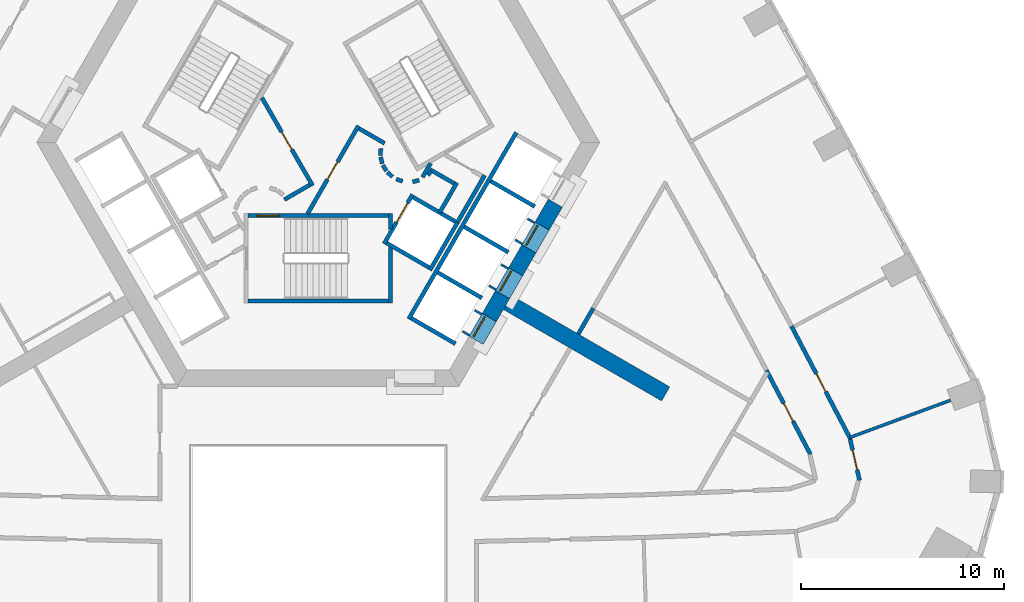
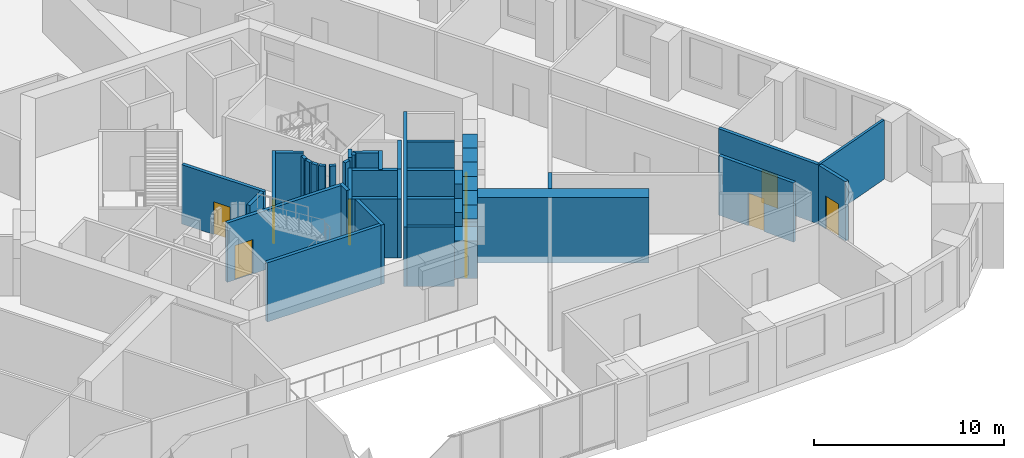
# One storey, part 7 of 12: 43 walls, 10 doors, 10 openings.
"""IFC4 building model written with IfcOpenShell, lengths in metres."""

from ifc_helpers import new_model, si_unit, direction, frame, frame_2d, origin, place, context, subcontext, project, spatial, polyline, rectangle, outline, extrude, material, layer, layer_set, type_object, element, fill, save


model = new_model("IFC4")

# Units and contexts
model_context = context("Model", 3, precision=1e-05, world=origin(), true_north=direction((0.0, 1.0)))
body_context = subcontext(model_context, "Body", "Model", "MODEL_VIEW")
ifc_project = project(units=[si_unit("LENGTHUNIT", "METRE"), si_unit("AREAUNIT", "SQUARE_METRE"), si_unit("VOLUMEUNIT", "CUBIC_METRE"), si_unit("PLANEANGLEUNIT", "RADIAN"), si_unit("MASSUNIT", "GRAM", prefix="KILO")], contexts=[model_context])

# Site, building, storey
site_placement = place(None, origin())
site = spatial("IfcSite", under=ifc_project, at=site_placement, CompositionType="ELEMENT")
building_placement = place(site_placement, origin())
building = spatial("IfcBuilding", under=site, at=building_placement, Name="Entoto Arch Interchange Tower", CompositionType="ELEMENT")
storey_placement = place(building_placement, frame((0.0, 0.0, 142.39990234375)))
storey = spatial("IfcBuildingStorey", under=building, at=storey_placement, Name="L31", CompositionType="ELEMENT", Elevation=142.39990234375)

# Walls
ifc_material_1 = material(Name="Concrete C50/60", Category="concrete")
ifc_layer_1 = layer(ifc_material_1, 0.800048828125)
ifc_layer_set_1 = layer_set([ifc_layer_1], Name="Concrete C50/60")
wall_type_1 = type_object("IfcWallType", Name="Buttress wall 800 C50/60", PredefinedType="SHEAR", material=ifc_layer_set_1)
wall_1_placement = place(storey_placement, frame((9.31005859375, -5.375, -0.39990234375), z_axis=(0.0, 0.0, 1.0), x_axis=(0.866017533419, -0.500013631625, 0.0)))
element("IfcWall", 1, at=wall_1_placement, inside=storey, type_object=wall_type_1, Name="Buttress wall SE L31", PredefinedType="SHEAR", context=body_context, shape_type="SweptSolid", body=[
    extrude(rectangle(XDim=8.999755859375, YDim=0.800048828125, at=frame_2d((4.5, 0.0))), origin(), (0.0, 0.0, 1.0), 4.199951171875),
])
ifc_layer_2 = layer(ifc_material_1, 0.800048828125)
ifc_layer_set_2 = layer_set([ifc_layer_2], Name="Concrete C50/60")
wall_type_2 = type_object("IfcWallType", Name="Core wall 800 C50/60", PredefinedType="SHEAR", material=ifc_layer_set_2)
wall_2_placement = place(storey_placement, frame((0.0, 0.0, -0.39990234375)))
element("IfcWall", 2, at=wall_2_placement, inside=storey, type_object=wall_type_2, Name="Core wall SE L31", PredefinedType="SHEAR", context=body_context, shape_type="SweptSolid", body=[
    extrude(outline(polyline([(9.4169921875, -5.18896484375), (8.72412109375, -4.7890625), (8.074951171875, -5.9140625), (8.76708984375, -6.31396484375), (9.4169921875, -5.18896484375)])), origin(), (0.0, 0.0, 1.0), 4.199951171875),
])
wall_3_placement = place(storey_placement, frame((0.0, 0.0, -0.39990234375)))
element("IfcWall", 3, at=wall_3_placement, inside=storey, type_object=wall_type_2, Name="Core wall SE L31", PredefinedType="SHEAR", context=body_context, shape_type="SweptSolid", body=[
    extrude(outline(polyline([(10.717041015625, -2.93701171875), (10.02490234375, -2.537109375), (9.3740234375, -3.6630859375), (10.06689453125, -4.06298828125), (10.717041015625, -2.93701171875)])), origin(), (0.0, 0.0, 1.0), 4.199951171875),
])
wall_4_placement = place(storey_placement, frame((0.0, 0.0, -0.39990234375)))
element("IfcWall", 4, at=wall_4_placement, inside=storey, type_object=wall_type_2, Name="Core wall SE L31", PredefinedType="SHEAR", context=body_context, shape_type="SweptSolid", body=[
    extrude(outline(polyline([(12.01708984375, -0.68603515625), (11.323974609375, -0.285888671875), (10.675048828125, -1.410888671875), (11.366943359375, -1.81103515625), (12.01708984375, -0.68603515625)])), origin(), (0.0, 0.0, 1.0), 4.199951171875),
])
wall_5_placement = place(storey_placement, frame((0.0, 0.0, 3.60009765625)))
element("IfcWall", 5, at=wall_5_placement, inside=storey, type_object=wall_type_2, Name="Core wall lintel SE L31", PredefinedType="SHEAR", context=body_context, shape_type="SweptSolid", body=[
    extrude(outline(polyline([(8.76708984375, -6.31396484375), (8.074951171875, -5.9140625), (7.424072265625, -7.0400390625), (8.116943359375, -7.43994140625), (8.76708984375, -6.31396484375)])), origin(), (0.0, 0.0, 1.0), 0.199951171875),
])
wall_6_placement = place(storey_placement, frame((0.0, 0.0, 3.60009765625)))
element("IfcWall", 6, at=wall_6_placement, inside=storey, type_object=wall_type_2, Name="Core wall lintel SE L31", PredefinedType="SHEAR", context=body_context, shape_type="SweptSolid", body=[
    extrude(outline(polyline([(10.06689453125, -4.06298828125), (9.3740234375, -3.6630859375), (8.72412109375, -4.7890625), (9.4169921875, -5.18896484375), (10.06689453125, -4.06298828125)])), origin(), (0.0, 0.0, 1.0), 0.199951171875),
])
wall_7_placement = place(storey_placement, frame((0.0, 0.0, 3.60009765625)))
element("IfcWall", 7, at=wall_7_placement, inside=storey, type_object=wall_type_2, Name="Core wall lintel SE L31", PredefinedType="SHEAR", context=body_context, shape_type="SweptSolid", body=[
    extrude(outline(polyline([(11.366943359375, -1.81103515625), (10.675048828125, -1.410888671875), (10.02490234375, -2.537109375), (10.717041015625, -2.93701171875), (11.366943359375, -1.81103515625)])), origin(), (0.0, 0.0, 1.0), 0.199951171875),
])

# Wall, opening, door
ifc_material_2 = material(Name="Concrete C40/50", Category="concrete")
ifc_layer_3 = layer(ifc_material_2, 1.199951171875)
ifc_layer_set_3 = layer_set([ifc_layer_3], Name="Concrete C40/50")
wall_type_3 = type_object("IfcWallType", Name="LIFT LANDING INFILL WALL", PredefinedType="STANDARD", material=ifc_layer_set_3)
wall_8_placement = place(storey_placement, frame((7.597900390625, -7.139892578125, 0.0), z_axis=(0.0, 0.0, 1.0), x_axis=(0.500362116554, 0.865816234728, 0.0)))
wall_8 = element("IfcWall", 8, at=wall_8_placement, inside=storey, type_object=wall_type_3, Name="Lift landing infill wall LR5 L31", PredefinedType="STANDARD", context=body_context, shape_type="SweptSolid", body=[
    extrude(rectangle(XDim=1.29931640625, YDim=1.199951171875, at=frame_2d((0.649658203125, 0.0))), origin(), (0.0, 0.0, 1.0), 2.400146484375),
])
opening_1_placement = place(wall_8_placement, frame((0.10009765625, 0.0, 0.0)))
opening_1 = element("IfcOpeningElement", 9, at=opening_1_placement, cuts=wall_8, Name="Opening LD-LR5-L31", PredefinedType="OPENING", context=body_context, shape_type="SweptSolid", body=[
    extrude(rectangle(XDim=1.10009765625, YDim=2.300048828125, at=frame_2d((0.550048828125, 1.14990234375))), frame((0.0, 0.60986328125, 0.0), z_axis=(0.0, -1.0, 0.0), x_axis=(1.0, 0.0, 0.0)), (0.0, 0.0, 1.0), 1.219970703125),
])
ifc_material_3 = material(Name="Stainless steel 1.4301 panels", Category="steel")
door_type_1 = type_object("IfcDoorType", Name="LIFT LANDING DOOR LD2 1100x2300", OperationType="SLIDING_TO_LEFT", PredefinedType="DOOR", material=ifc_material_3)
door_1_placement = place(opening_1_placement, origin())
door_1 = element("IfcDoor", 10, at=door_1_placement, inside=storey, type_object=door_type_1, Name="Lift landing door LR5 L31", OperationType="SLIDING_TO_LEFT", OverallHeight=2.300048828125, OverallWidth=1.10009765625, PredefinedType="DOOR", context=body_context, shape_type="SweptSolid", body=[
    extrude(rectangle(XDim=1.10009765625, YDim=2.300048828125, at=frame_2d((0.550048828125, 1.14990234375))), frame((0.0, 0.02490234375, 0.0), z_axis=(0.0, -1.0, 0.0), x_axis=(1.0, 0.0, 0.0)), (0.0, 0.0, 1.0), 0.050048828125),
])
fill(opening_1, door_1)

wall_9_placement = place(storey_placement, frame((8.89794921875, -4.888916015625, 0.0), z_axis=(0.0, 0.0, 1.0), x_axis=(0.500036693733, 0.866004217611, 0.0)))
wall_9 = element("IfcWall", 11, at=wall_9_placement, inside=storey, type_object=wall_type_3, Name="Lift landing infill wall LR6 L31", PredefinedType="STANDARD", context=body_context, shape_type="SweptSolid", body=[
    extrude(rectangle(XDim=1.30029296875, YDim=1.199951171875, at=frame_2d((0.650146484375, 0.0))), origin(), (0.0, 0.0, 1.0), 2.400146484375),
])
opening_2_placement = place(wall_9_placement, frame((0.10009765625, 0.0, 0.0)))
opening_2 = element("IfcOpeningElement", 12, at=opening_2_placement, cuts=wall_9, Name="Opening LD-LR6-L31", PredefinedType="OPENING", context=body_context, shape_type="SweptSolid", body=[
    extrude(rectangle(XDim=1.10009765625, YDim=2.300048828125, at=frame_2d((0.550048828125, 1.14990234375))), frame((0.0, 0.60986328125, 0.0), z_axis=(0.0, -1.0, 0.0), x_axis=(1.0, 0.0, 0.0)), (0.0, 0.0, 1.0), 1.219970703125),
])
door_2_placement = place(opening_2_placement, origin())
door_2 = element("IfcDoor", 13, at=door_2_placement, inside=storey, type_object=door_type_1, Name="Lift landing door LR6 L31", OperationType="SLIDING_TO_LEFT", OverallHeight=2.300048828125, OverallWidth=1.10009765625, PredefinedType="DOOR", context=body_context, shape_type="SweptSolid", body=[
    extrude(rectangle(XDim=1.10009765625, YDim=2.300048828125, at=frame_2d((0.550048828125, 1.14990234375))), frame((0.0, 0.02490234375, 0.0), z_axis=(0.0, -1.0, 0.0), x_axis=(1.0, 0.0, 0.0)), (0.0, 0.0, 1.0), 0.050048828125),
])
fill(opening_2, door_2)

wall_10_placement = place(storey_placement, frame((10.197998046875, -2.636962890625, 0.0), z_axis=(0.0, 0.0, 1.0), x_axis=(0.49989585183, 0.866085525409, 0.0)))
wall_10 = element("IfcWall", 14, at=wall_10_placement, inside=storey, type_object=wall_type_3, Name="Lift landing infill wall LR7 L31", PredefinedType="STANDARD", context=body_context, shape_type="SweptSolid", body=[
    extrude(rectangle(XDim=1.300048828125, YDim=1.199951171875, at=frame_2d((0.64990234375, 0.0))), origin(), (0.0, 0.0, 1.0), 2.400146484375),
])
opening_3_placement = place(wall_10_placement, frame((0.10009765625, 0.0, 0.0)))
opening_3 = element("IfcOpeningElement", 15, at=opening_3_placement, cuts=wall_10, Name="Opening LD-LR7-L31", PredefinedType="OPENING", context=body_context, shape_type="SweptSolid", body=[
    extrude(rectangle(XDim=1.10009765625, YDim=2.300048828125, at=frame_2d((0.550048828125, 1.14990234375))), frame((0.0, 0.60986328125, 0.0), z_axis=(0.0, -1.0, 0.0), x_axis=(1.0, 0.0, 0.0)), (0.0, 0.0, 1.0), 1.219970703125),
])
door_3_placement = place(opening_3_placement, origin())
door_3 = element("IfcDoor", 16, at=door_3_placement, inside=storey, type_object=door_type_1, Name="Lift landing door LR7 L31", OperationType="SLIDING_TO_LEFT", OverallHeight=2.300048828125, OverallWidth=1.10009765625, PredefinedType="DOOR", context=body_context, shape_type="SweptSolid", body=[
    extrude(rectangle(XDim=1.10009765625, YDim=2.300048828125, at=frame_2d((0.550048828125, 1.14990234375))), frame((0.0, 0.02490234375, 0.0), z_axis=(0.0, -1.0, 0.0), x_axis=(1.0, 0.0, 0.0)), (0.0, 0.0, 1.0), 0.050048828125),
])
fill(opening_3, door_3)

ifc_layer_4 = layer(ifc_material_2, 0.199951171875)
ifc_layer_set_4 = layer_set([ifc_layer_4], Name="Concrete C40/50")
wall_type_4 = type_object("IfcWallType", Name="LIFT SHAFT WALL 200", PredefinedType="STANDARD", material=ifc_layer_set_4)
wall_11_placement = place(storey_placement, frame((3.239990234375, -2.488037109375, 0.0), z_axis=(0.0, 0.0, 1.0), x_axis=(0.49994636267, 0.866056369097, 0.0)))
wall_11 = element("IfcWall", 17, at=wall_11_placement, inside=storey, type_object=wall_type_4, Name="Shaft wall SE1 front", PredefinedType="STANDARD", context=body_context, shape_type="SweptSolid", body=[
    extrude(rectangle(XDim=2.800048828125, YDim=0.199951171875, at=frame_2d((1.39990234375, 0.0))), origin(), (0.0, 0.0, 1.0), 3.800048828125),
])
opening_4_placement = place(wall_11_placement, frame((1.22509765625, 0.0, 0.0)))
opening_4 = element("IfcOpeningElement", 18, at=opening_4_placement, cuts=wall_11, Name="Opening LD-FF1-L31", PredefinedType="OPENING", context=body_context, shape_type="SweptSolid", body=[
    extrude(rectangle(XDim=1.10009765625, YDim=2.10009765625, at=frame_2d((0.550048828125, 1.050048828125))), frame((0.0, 0.10986328125, 0.0), z_axis=(0.0, -1.0, 0.0), x_axis=(1.0, 0.0, 0.0)), (0.0, 0.0, 1.0), 0.219970703125),
])
door_type_2 = type_object("IfcDoorType", Name="LIFT LANDING DOOR LD1 1100x2100", OperationType="SLIDING_TO_LEFT", PredefinedType="DOOR", material=ifc_material_3)
door_4_placement = place(opening_4_placement, origin())
door_4 = element("IfcDoor", 19, at=door_4_placement, inside=storey, type_object=door_type_2, Name="Lift landing door FF1 L31", OperationType="SLIDING_TO_LEFT", OverallHeight=2.10009765625, OverallWidth=1.10009765625, PredefinedType="DOOR", context=body_context, shape_type="SweptSolid", body=[
    extrude(rectangle(XDim=1.10009765625, YDim=2.10009765625, at=frame_2d((0.550048828125, 1.050048828125))), frame((0.0, 0.02490234375, 0.0), z_axis=(0.0, -1.0, 0.0), x_axis=(1.0, 0.0, 0.0)), (0.0, 0.0, 1.0), 0.050048828125),
])
fill(opening_4, door_4)

# Walls
wall_12_placement = place(storey_placement, frame((5.491943359375, -3.7880859375, 0.0), z_axis=(0.0, 0.0, 1.0), x_axis=(0.500011755427, 0.866018616679, 0.0)))
element("IfcWall", 20, at=wall_12_placement, inside=storey, type_object=wall_type_4, Name="Shaft wall SE1 back", PredefinedType="STANDARD", context=body_context, shape_type="SweptSolid", body=[
    extrude(rectangle(XDim=2.80029296875, YDim=0.199951171875, at=frame_2d((1.400146484375, 0.0))), origin(), (0.0, 0.0, 1.0), 3.800048828125),
])
wall_13_placement = place(storey_placement, frame((3.376953125, -2.451904296875, 0.0), z_axis=(0.0, 0.0, 1.0), x_axis=(0.865955154139, -0.50012165622, 0.0)))
element("IfcWall", 21, at=wall_13_placement, inside=storey, type_object=wall_type_4, Name="Shaft wall SE1 cross 1", PredefinedType="STANDARD", context=body_context, shape_type="SweptSolid", body=[
    extrude(rectangle(XDim=2.39990234375, YDim=0.199951171875, at=frame_2d((1.199951171875, 0.0))), origin(), (0.0, 0.0, 1.0), 3.800048828125),
])
wall_14_placement = place(storey_placement, frame((4.677001953125, -0.199951171875, 0.0), z_axis=(0.0, 0.0, 1.0), x_axis=(0.865973769406, -0.500089422704, 0.0)))
element("IfcWall", 22, at=wall_14_placement, inside=storey, type_object=wall_type_4, Name="Shaft wall SE1 cross 2", PredefinedType="STANDARD", context=body_context, shape_type="SweptSolid", body=[
    extrude(rectangle(XDim=2.3994140625, YDim=0.199951171875, at=frame_2d((1.19970703125, 0.0))), origin(), (0.0, 0.0, 1.0), 3.800048828125),
])
wall_15_placement = place(storey_placement, frame((4.450927734375, -6.18994140625, 0.0), z_axis=(0.0, 0.0, 1.0), x_axis=(0.50000090737, 0.866024879913, 0.0)))
element("IfcWall", 23, at=wall_15_placement, inside=storey, type_object=wall_type_4, Name="Shaft wall SE3 front", PredefinedType="STANDARD", context=body_context, shape_type="SweptSolid", body=[
    extrude(rectangle(XDim=10.60009765625, YDim=0.199951171875, at=frame_2d((5.300048828125, 0.0))), origin(), (0.0, 0.0, 1.0), 3.800048828125),
])
for number, where, z_axis, x_axis, name in (
    (24, (4.587890625, -6.153076171875, 0.0), (0.0, 0.0, 1.0), (0.866022959057, -0.500004234368, 0.0), "Shaft wall SE3 cross 1"),
    (25, (5.887939453125, -3.902099609375, 0.0), (0.0, 0.0, 1.0), (0.866022959057, -0.500004234368, 0.0), "Shaft wall SE3 cross 2"),
    (26, (7.18798828125, -1.64990234375, 0.0), (0.0, 0.0, 1.0), (0.866022959057, -0.500004234368, 0.0), "Shaft wall SE3 cross 3"),
    (27, (8.488037109375, 0.60205078125, 0.0), (0.0, 0.0, 1.0), (0.866022959057, -0.500004234368, 0.0), "Shaft wall SE3 cross 4"),
):
    element("IfcWall", number, at=place(storey_placement, frame(where, z_axis=z_axis, x_axis=x_axis)), inside=storey, type_object=wall_type_4, Name=name, PredefinedType="STANDARD", context=body_context, shape_type="SweptSolid", body=[
        extrude(rectangle(XDim=2.5, YDim=0.199951171875, at=frame_2d((1.25, 0.0))), origin(), (0.0, 0.0, 1.0), 3.800048828125),
    ])
ifc_material_4 = material(Name="Gypsum board partition on steel studs", Category="steel")
ifc_layer_5 = layer(ifc_material_4, 0.14990234375)
ifc_layer_set_5 = layer_set([ifc_layer_5], Name="Gypsum board partition on steel studs")
wall_type_5 = type_object("IfcWallType", Name="PARTITION 150", PredefinedType="PARTITIONING", material=ifc_layer_set_5)
wall_16_placement = place(storey_placement, frame((26.1640625, -12.02294921875, 0.0), z_axis=(0.0, 0.0, 1.0), x_axis=(0.937995804261, 0.346646608505, 0.0)))
element("IfcWall", 28, at=wall_16_placement, inside=storey, type_object=wall_type_5, Name="wall:L31:p125", PredefinedType="PARTITIONING", context=body_context, shape_type="SweptSolid", body=[
    extrude(rectangle(XDim=5.287841796875, YDim=0.14990234375, at=frame_2d((2.64404296875, 0.0))), origin(), (0.0, 0.0, 1.0), 3.800048828125),
])

# Wall, opening, door
ifc_layer_6 = layer(ifc_material_4, 0.199951171875)
ifc_layer_set_6 = layer_set([ifc_layer_6], Name="Gypsum board partition on steel studs")
wall_type_6 = type_object("IfcWallType", Name="PARTITION 200", PredefinedType="PARTITIONING", material=ifc_layer_set_6)
wall_17_placement = place(storey_placement, frame((24.22412109375, -12.844970703125, 0.0), z_axis=(0.0, 0.0, 1.0), x_axis=(-0.463819025987, 0.885929969655, 0.0)))
wall_17 = element("IfcWall", 29, at=wall_17_placement, inside=storey, type_object=wall_type_6, Name="wall:L31:p021", PredefinedType="PARTITIONING", context=body_context, shape_type="SweptSolid", body=[
    extrude(rectangle(XDim=4.659423828125, YDim=0.199951171875, at=frame_2d((2.32958984375, 0.0))), origin(), (0.0, 0.0, 1.0), 3.800048828125),
])
opening_5_placement = place(wall_17_placement, frame((1.830078125, 0.0, 0.0)))
opening_5 = element("IfcOpeningElement", 30, at=opening_5_placement, cuts=wall_17, Name="Opening L31-D22", PredefinedType="OPENING", context=body_context, shape_type="SweptSolid", body=[
    extrude(rectangle(XDim=1.0, YDim=2.10009765625, at=frame_2d((0.5, 1.050048828125))), frame((0.0, 0.10986328125, 0.0), z_axis=(0.0, -1.0, 0.0), x_axis=(1.0, 0.0, 0.0)), (0.0, 0.0, 1.0), 0.219970703125),
])
ifc_material_5 = material(Name="Timber door leaf in Steel S235 frame", Category="steel")
door_type_3 = type_object("IfcDoorType", Name="DOOR DS-10 1000x2100", OperationType="SINGLE_SWING_LEFT", PredefinedType="DOOR", material=ifc_material_5)
door_5_placement = place(opening_5_placement, origin())
door_5 = element("IfcDoor", 31, at=door_5_placement, inside=storey, type_object=door_type_3, Name="door:L31:22", OperationType="SINGLE_SWING_LEFT", OverallHeight=2.10009765625, OverallWidth=1.0, PredefinedType="DOOR", context=body_context, shape_type="SweptSolid", body=[
    extrude(rectangle(XDim=1.0, YDim=2.10009765625, at=frame_2d((0.5, 1.050048828125))), frame((0.0, 0.02490234375, 0.0), z_axis=(0.0, -1.0, 0.0), x_axis=(1.0, 0.0, 0.0)), (0.0, 0.0, 1.0), 0.050048828125),
])
fill(opening_5, door_5)

wall_18_placement = place(storey_placement, frame((26.18603515625, -12.1201171875, 0.0), z_axis=(0.0, 0.0, 1.0), x_axis=(0.224108401048, -0.974564222912, 0.0)))
wall_18 = element("IfcWall", 32, at=wall_18_placement, inside=storey, type_object=wall_type_6, Name="wall:L31:p034", PredefinedType="PARTITIONING", context=body_context, shape_type="SweptSolid", body=[
    extrude(rectangle(XDim=2.0654296875, YDim=0.199951171875, at=frame_2d((1.03271484375, 0.0))), origin(), (0.0, 0.0, 1.0), 3.800048828125),
])
opening_6_placement = place(wall_18_placement, frame((0.532958984375, 0.0, 0.0)))
opening_6 = element("IfcOpeningElement", 33, at=opening_6_placement, cuts=wall_18, Name="Opening L31-D03", PredefinedType="OPENING", context=body_context, shape_type="SweptSolid", body=[
    extrude(rectangle(XDim=1.0, YDim=2.10009765625, at=frame_2d((0.5, 1.050048828125))), frame((0.0, 0.10986328125, 0.0), z_axis=(0.0, -1.0, 0.0), x_axis=(1.0, 0.0, 0.0)), (0.0, 0.0, 1.0), 0.219970703125),
])
door_6_placement = place(opening_6_placement, origin())
door_6 = element("IfcDoor", 34, at=door_6_placement, inside=storey, type_object=door_type_3, Name="door:L31:03", OperationType="SINGLE_SWING_LEFT", OverallHeight=2.10009765625, OverallWidth=1.0, PredefinedType="DOOR", context=body_context, shape_type="SweptSolid", body=[
    extrude(rectangle(XDim=1.0, YDim=2.10009765625, at=frame_2d((0.5, 1.050048828125))), frame((0.0, 0.02490234375, 0.0), z_axis=(0.0, -1.0, 0.0), x_axis=(1.0, 0.0, 0.0)), (0.0, 0.0, 1.0), 0.050048828125),
])
fill(opening_6, door_6)

wall_19_placement = place(storey_placement, frame((23.2939453125, -6.541015625, 0.0), z_axis=(0.0, 0.0, 1.0), x_axis=(0.463802391881, -0.885938678062, 0.0)))
wall_19 = element("IfcWall", 35, at=wall_19_placement, inside=storey, type_object=wall_type_6, Name="wall:L31:p038", PredefinedType="PARTITIONING", context=body_context, shape_type="SweptSolid", body=[
    extrude(rectangle(XDim=6.287109375, YDim=0.199951171875, at=frame_2d((3.1435546875, 0.0))), origin(), (0.0, 0.0, 1.0), 3.800048828125),
])
opening_7_placement = place(wall_19_placement, frame((2.64404296875, 0.0, 0.0)))
opening_7 = element("IfcOpeningElement", 36, at=opening_7_placement, cuts=wall_19, Name="Opening L31-D04", PredefinedType="OPENING", context=body_context, shape_type="SweptSolid", body=[
    extrude(rectangle(XDim=1.0, YDim=2.10009765625, at=frame_2d((0.5, 1.050048828125))), frame((0.0, 0.10986328125, 0.0), z_axis=(0.0, -1.0, 0.0), x_axis=(1.0, 0.0, 0.0)), (0.0, 0.0, 1.0), 0.219970703125),
])
door_7_placement = place(opening_7_placement, origin())
door_7 = element("IfcDoor", 37, at=door_7_placement, inside=storey, type_object=door_type_3, Name="door:L31:04", OperationType="SINGLE_SWING_LEFT", OverallHeight=2.10009765625, OverallWidth=1.0, PredefinedType="DOOR", context=body_context, shape_type="SweptSolid", body=[
    extrude(rectangle(XDim=1.0, YDim=2.10009765625, at=frame_2d((0.5, 1.050048828125))), frame((0.0, 0.02490234375, 0.0), z_axis=(0.0, -1.0, 0.0), x_axis=(1.0, 0.0, 0.0)), (0.0, 0.0, 1.0), 0.050048828125),
])
fill(opening_7, door_7)

# Walls
wall_20_placement = place(storey_placement, frame((5.389892578125, 0.89794921875, 0.0), z_axis=(0.0, 0.0, 1.0), x_axis=(0.673828488714, 0.738887791073, 0.0)))
element("IfcWall", 38, at=wall_20_placement, inside=storey, type_object=wall_type_6, Name="wall:L31:p074", PredefinedType="PARTITIONING", context=body_context, shape_type="SweptSolid", body=[
    extrude(rectangle(XDim=0.2626953125, YDim=0.199951171875, at=frame_2d((0.13134765625, 0.0))), origin(), (0.0, 0.0, 1.0), 3.800048828125),
])
wall_21_placement = place(storey_placement, frame((5.4990234375, 1.172119140625, 0.0), z_axis=(0.0, 0.0, 1.0), x_axis=(0.866333505267, -0.499465972466, 0.0)))
element("IfcWall", 39, at=wall_21_placement, inside=storey, type_object=wall_type_6, Name="wall:L31:p075", PredefinedType="PARTITIONING", context=body_context, shape_type="SweptSolid", body=[
    extrude(rectangle(XDim=1.37353515625, YDim=0.199951171875, at=frame_2d((0.686767578125, 0.0))), origin(), (0.0, 0.0, 1.0), 3.800048828125),
])
wall_22_placement = place(storey_placement, frame((6.825927734375, 0.52197265625, 0.0), z_axis=(0.0, 0.0, 1.0), x_axis=(-0.500016722714, -0.866015748706, 0.0)))
element("IfcWall", 40, at=wall_22_placement, inside=storey, type_object=wall_type_6, Name="wall:L31:p076", PredefinedType="PARTITIONING", context=body_context, shape_type="SweptSolid", body=[
    extrude(rectangle(XDim=1.69970703125, YDim=0.199951171875, at=frame_2d((0.849853515625, 0.0))), origin(), (0.0, 0.0, 1.0), 3.800048828125),
])
wall_23_placement = place(storey_placement, frame((8.19189453125, 0.887939453125, 0.0), z_axis=(0.0, 0.0, 1.0), x_axis=(-0.499940625693, -0.866059680843, 0.0)))
element("IfcWall", 41, at=wall_23_placement, inside=storey, type_object=wall_type_6, Name="wall:L31:p078", PredefinedType="PARTITIONING", context=body_context, shape_type="SweptSolid", body=[
    extrude(rectangle(XDim=2.679931640625, YDim=0.199951171875, at=frame_2d((1.33984375, 0.0))), origin(), (0.0, 0.0, 1.0), 3.800048828125),
])
wall_24_placement = place(storey_placement, frame((5.135009765625, 0.79296875, 0.0), z_axis=(0.0, 0.0, 1.0), x_axis=(0.499526442893, 0.866298639529, 0.0)))
element("IfcWall", 42, at=wall_24_placement, inside=storey, type_object=wall_type_6, Name="wall:L31:p079", PredefinedType="PARTITIONING", context=body_context, shape_type="SweptSolid", body=[
    extrude(rectangle(XDim=0.790771484375, YDim=0.199951171875, at=frame_2d((0.3955078125, 0.0))), origin(), (0.0, 0.0, 1.0), 3.800048828125),
])

# Wall, opening, door
wall_25_placement = place(storey_placement, frame((-0.52001953125, -1.0, 0.0), z_axis=(0.0, 0.0, 1.0), x_axis=(0.50011622646, 0.865958290007, 0.0)))
wall_25 = element("IfcWall", 43, at=wall_25_placement, inside=storey, type_object=wall_type_6, Name="wall:L31:p087", PredefinedType="PARTITIONING", context=body_context, shape_type="SweptSolid", body=[
    extrude(rectangle(XDim=4.990966796875, YDim=0.199951171875, at=frame_2d((2.49560546875, 0.0))), origin(), (0.0, 0.0, 1.0), 3.800048828125),
])
opening_8_placement = place(wall_25_placement, frame((1.945068359375, 0.0, 0.0)))
opening_8 = element("IfcOpeningElement", 44, at=opening_8_placement, cuts=wall_25, Name="Opening L31-D31", PredefinedType="OPENING", context=body_context, shape_type="SweptSolid", body=[
    extrude(rectangle(XDim=1.0, YDim=2.10009765625, at=frame_2d((0.5, 1.050048828125))), frame((0.0, 0.10986328125, 0.0), z_axis=(0.0, -1.0, 0.0), x_axis=(1.0, 0.0, 0.0)), (0.0, 0.0, 1.0), 0.219970703125),
])
ifc_material_6 = material(Name="Fire-rated Steel S235 door and frame", Category="steel")
door_type_4 = type_object("IfcDoorType", Name="DOOR FD-10 1000x2100", OperationType="SINGLE_SWING_LEFT", PredefinedType="DOOR", material=ifc_material_6)
door_8_placement = place(opening_8_placement, origin())
door_8 = element("IfcDoor", 45, at=door_8_placement, inside=storey, type_object=door_type_4, Name="door:L31:31", OperationType="SINGLE_SWING_LEFT", OverallHeight=2.10009765625, OverallWidth=1.0, PredefinedType="DOOR", context=body_context, shape_type="SweptSolid", body=[
    extrude(rectangle(XDim=1.0, YDim=2.10009765625, at=frame_2d((0.5, 1.050048828125))), frame((0.0, 0.02490234375, 0.0), z_axis=(0.0, -1.0, 0.0), x_axis=(1.0, 0.0, 0.0)), (0.0, 0.0, 1.0), 0.050048828125),
])
fill(opening_8, door_8)

# Walls
wall_26_placement = place(storey_placement, frame((2.011962890625, 3.18603515625, 0.0), z_axis=(0.0, 0.0, 1.0), x_axis=(0.865891012941, -0.500232699559, 0.0)))
element("IfcWall", 46, at=wall_26_placement, inside=storey, type_object=wall_type_6, Name="wall:L31:p088", PredefinedType="PARTITIONING", context=body_context, shape_type="SweptSolid", body=[
    extrude(rectangle(XDim=1.449462890625, YDim=0.199951171875, at=frame_2d((0.724609375, 0.0))), origin(), (0.0, 0.0, 1.0), 3.800048828125),
])
wall_27_placement = place(storey_placement, frame((3.0791015625, 2.198974609375, 0.0), z_axis=(0.0, 0.0, 1.0), x_axis=(-0.047771483479, -0.998858290933, 0.0)))
element("IfcWall", 47, at=wall_27_placement, inside=storey, type_object=wall_type_6, Name="wall:L31:p089", PredefinedType="PARTITIONING", context=body_context, shape_type="SweptSolid", body=[
    extrude(rectangle(XDim=0.33740234375, YDim=0.199951171875, at=frame_2d((0.168701171875, 0.0))), origin(), (0.0, 0.0, 1.0), 3.800048828125),
])
wall_28_placement = place(storey_placement, frame((3.070068359375, 1.785888671875, 0.0), z_axis=(0.0, 0.0, 1.0), x_axis=(0.242705583207, -0.970099994784, 0.0)))
element("IfcWall", 48, at=wall_28_placement, inside=storey, type_object=wall_type_6, Name="wall:L31:p090", PredefinedType="PARTITIONING", context=body_context, shape_type="SweptSolid", body=[
    extrude(rectangle(XDim=0.337890625, YDim=0.199951171875, at=frame_2d((0.1689453125, 0.0))), origin(), (0.0, 0.0, 1.0), 3.800048828125),
])
for number, where, z_axis, x_axis, name in (
    (49, (3.181884765625, 1.387939453125, 0.0), (0.0, 0.0, 1.0), (0.512474702713, -0.85870232274, 0.0), "wall:L31:p091"),
    (50, (3.404052734375, 1.0390625, 0.0), (0.0, 0.0, 1.0), (0.740267097712, -0.672312891476, 0.0), "wall:L31:p092"),
):
    element("IfcWall", number, at=place(storey_placement, frame(where, z_axis=z_axis, x_axis=x_axis)), inside=storey, type_object=wall_type_6, Name=name, PredefinedType="PARTITIONING", context=body_context, shape_type="SweptSolid", body=[
        extrude(rectangle(XDim=0.337646484375, YDim=0.199951171875, at=frame_2d((0.1689453125, 0.0))), origin(), (0.0, 0.0, 1.0), 3.800048828125),
    ])
wall_29_placement = place(storey_placement, frame((3.837890625, 0.701904296875, 0.0), z_axis=(0.0, 0.0, 1.0), x_axis=(0.941035081519, -0.338308993895, 0.0)))
element("IfcWall", 51, at=wall_29_placement, inside=storey, type_object=wall_type_6, Name="wall:L31:p093", PredefinedType="PARTITIONING", context=body_context, shape_type="SweptSolid", body=[
    extrude(rectangle(XDim=0.3369140625, YDim=0.199951171875, at=frame_2d((0.16845703125, 0.0))), origin(), (0.0, 0.0, 1.0), 3.800048828125),
])
wall_30_placement = place(storey_placement, frame((4.64404296875, 0.56396484375, 0.0), z_axis=(0.0, 0.0, 1.0), x_axis=(0.969929076366, 0.243387729394, 0.0)))
element("IfcWall", 52, at=wall_30_placement, inside=storey, type_object=wall_type_6, Name="wall:L31:p094", PredefinedType="PARTITIONING", context=body_context, shape_type="SweptSolid", body=[
    extrude(rectangle(XDim=0.337158203125, YDim=0.199951171875, at=frame_2d((0.16845703125, 0.0))), origin(), (0.0, 0.0, 1.0), 3.800048828125),
])

# Wall, opening, door
wall_31_placement = place(storey_placement, frame((-2.77099609375, 4.699951171875, 0.0), z_axis=(0.0, 0.0, 1.0), x_axis=(0.499969479948, -0.866043023828, 0.0)))
wall_31 = element("IfcWall", 53, at=wall_31_placement, inside=storey, type_object=wall_type_6, Name="wall:L31:p095", PredefinedType="PARTITIONING", context=body_context, shape_type="SweptSolid", body=[
    extrude(rectangle(XDim=4.990478515625, YDim=0.199951171875, at=frame_2d((2.4951171875, 0.0))), origin(), (0.0, 0.0, 1.0), 3.800048828125),
])
opening_9_placement = place(wall_31_placement, frame((1.945068359375, 0.0, 0.0)))
opening_9 = element("IfcOpeningElement", 54, at=opening_9_placement, cuts=wall_31, Name="Opening L31-D32", PredefinedType="OPENING", context=body_context, shape_type="SweptSolid", body=[
    extrude(rectangle(XDim=1.0, YDim=2.10009765625, at=frame_2d((0.5, 1.050048828125))), frame((0.0, 0.10986328125, 0.0), z_axis=(0.0, -1.0, 0.0), x_axis=(1.0, 0.0, 0.0)), (0.0, 0.0, 1.0), 0.219970703125),
])
door_9_placement = place(opening_9_placement, origin())
door_9 = element("IfcDoor", 55, at=door_9_placement, inside=storey, type_object=door_type_4, Name="door:L31:32", OperationType="SINGLE_SWING_RIGHT", OverallHeight=2.10009765625, OverallWidth=1.0, PredefinedType="DOOR", context=body_context, shape_type="SweptSolid", body=[
    extrude(rectangle(XDim=1.0, YDim=2.10009765625, at=frame_2d((0.5, 1.050048828125))), frame((0.0, 0.02490234375, 0.0), z_axis=(0.0, -1.0, 0.0), x_axis=(1.0, 0.0, 0.0)), (0.0, 0.0, 1.0), 0.050048828125),
])
fill(opening_9, door_9)

# Walls
wall_32_placement = place(storey_placement, frame((-0.412109375, 0.4140625, 0.0), z_axis=(0.0, 0.0, 1.0), x_axis=(-0.866017369001, -0.500013916395, 0.0)))
element("IfcWall", 56, at=wall_32_placement, inside=storey, type_object=wall_type_6, Name="wall:L31:p096", PredefinedType="PARTITIONING", context=body_context, shape_type="SweptSolid", body=[
    extrude(rectangle(XDim=1.4501953125, YDim=0.199951171875, at=frame_2d((0.72509765625, 0.0))), origin(), (0.0, 0.0, 1.0), 3.800048828125),
])
wall_33_placement = place(storey_placement, frame((13.534912109375, -5.656982421875, 0.0), z_axis=(0.0, 0.0, 1.0), x_axis=(-0.499751238113, -0.866168978898, 0.0)))
element("IfcWall", 57, at=wall_33_placement, inside=storey, type_object=wall_type_6, Name="wall:L31:p107", PredefinedType="PARTITIONING", context=body_context, shape_type="SweptSolid", body=[
    extrude(rectangle(XDim=1.468505859375, YDim=0.199951171875, at=frame_2d((0.734375, 0.0))), origin(), (0.0, 0.0, 1.0), 3.800048828125),
])
ifc_layer_7 = layer(ifc_material_2, 0.199951171875)
ifc_layer_set_7 = layer_set([ifc_layer_7], Name="Concrete C40/50")
wall_type_7 = type_object("IfcWallType", Name="STAIR ENCLOSURE WALL 200", PredefinedType="STANDARD", material=ifc_layer_set_7)
wall_34_placement = place(storey_placement, frame((3.550048828125, -2.6669921875, 0.0), z_axis=(0.0, 0.0, 1.0), x_axis=(0.0, -1.0, 0.0)))
element("IfcWall", 58, at=wall_34_placement, inside=storey, type_object=wall_type_7, Name="Stair wall ST-S far", PredefinedType="STANDARD", context=body_context, shape_type="SweptSolid", body=[
    extrude(rectangle(XDim=2.73291015625, YDim=0.199951171875, at=frame_2d((1.366455078125, 0.0))), origin(), (0.0, 0.0, 1.0), 3.800048828125),
])
wall_35_placement = place(storey_placement, frame((3.550048828125, -1.0, 0.0), z_axis=(0.0, 0.0, 1.0), x_axis=(0.0, -1.0, 0.0)))
element("IfcWall", 59, at=wall_35_placement, inside=storey, type_object=wall_type_7, Name="Stair wall ST-S far return", PredefinedType="STANDARD", context=body_context, shape_type="SweptSolid", body=[
    extrude(rectangle(XDim=0.7509765625, YDim=0.199951171875, at=frame_2d((0.37548828125, 0.0))), origin(), (0.0, 0.0, 1.0), 3.800048828125),
])

# Wall, opening, door
wall_36_placement = place(storey_placement, frame((-3.449951171875, -1.10009765625, 0.0), z_axis=(0.0, 0.0, 1.0), x_axis=(1.0, 0.0, 0.0)))
wall_36 = element("IfcWall", 60, at=wall_36_placement, inside=storey, type_object=wall_type_7, Name="Stair wall ST-S hall", PredefinedType="STANDARD", context=body_context, shape_type="SweptSolid", body=[
    extrude(rectangle(XDim=6.89990234375, YDim=0.199951171875, at=frame_2d((3.449951171875, 0.0))), origin(), (0.0, 0.0, 1.0), 3.800048828125),
])
opening_10_placement = place(wall_36_placement, frame((0.449951171875, 0.0, 0.0)))
opening_10 = element("IfcOpeningElement", 61, at=opening_10_placement, cuts=wall_36, Name="Opening SD-ST-S-L31", PredefinedType="OPENING", context=body_context, shape_type="SweptSolid", body=[
    extrude(rectangle(XDim=1.10009765625, YDim=2.199951171875, at=frame_2d((0.550048828125, 1.10009765625))), frame((0.0, 0.10986328125, 0.0), z_axis=(0.0, -1.0, 0.0), x_axis=(1.0, 0.0, 0.0)), (0.0, 0.0, 1.0), 0.219970703125),
])
ifc_material_7 = material(Name="Steel S235", Category="steel")
door_type_5 = type_object("IfcDoorType", Name="STAIR DOOR SD1 1100x2200", OperationType="SINGLE_SWING_LEFT", PredefinedType="DOOR", material=ifc_material_7)
door_10_placement = place(opening_10_placement, origin())
door_10 = element("IfcDoor", 62, at=door_10_placement, inside=storey, type_object=door_type_5, Name="Stair door ST-S L31", OperationType="SINGLE_SWING_LEFT", OverallHeight=2.199951171875, OverallWidth=1.10009765625, PredefinedType="DOOR", context=body_context, shape_type="SweptSolid", body=[
    extrude(rectangle(XDim=1.10009765625, YDim=2.199951171875, at=frame_2d((0.550048828125, 1.10009765625))), frame((0.0, 0.02490234375, 0.0), z_axis=(0.0, -1.0, 0.0), x_axis=(1.0, 0.0, 0.0)), (0.0, 0.0, 1.0), 0.050048828125),
])
fill(opening_10, door_10)

# Wall
wall_37_placement = place(storey_placement, frame((-3.449951171875, -5.300048828125, 0.0), z_axis=(0.0, 0.0, 1.0), x_axis=(1.0, 0.0, 0.0)))
element("IfcWall", 63, at=wall_37_placement, inside=storey, type_object=wall_type_7, Name="Stair wall ST-S back", PredefinedType="STANDARD", context=body_context, shape_type="SweptSolid", body=[
    extrude(rectangle(XDim=6.89990234375, YDim=0.199951171875, at=frame_2d((3.449951171875, 0.0))), origin(), (0.0, 0.0, 1.0), 3.800048828125),
])

save(model, "model.ifc")
